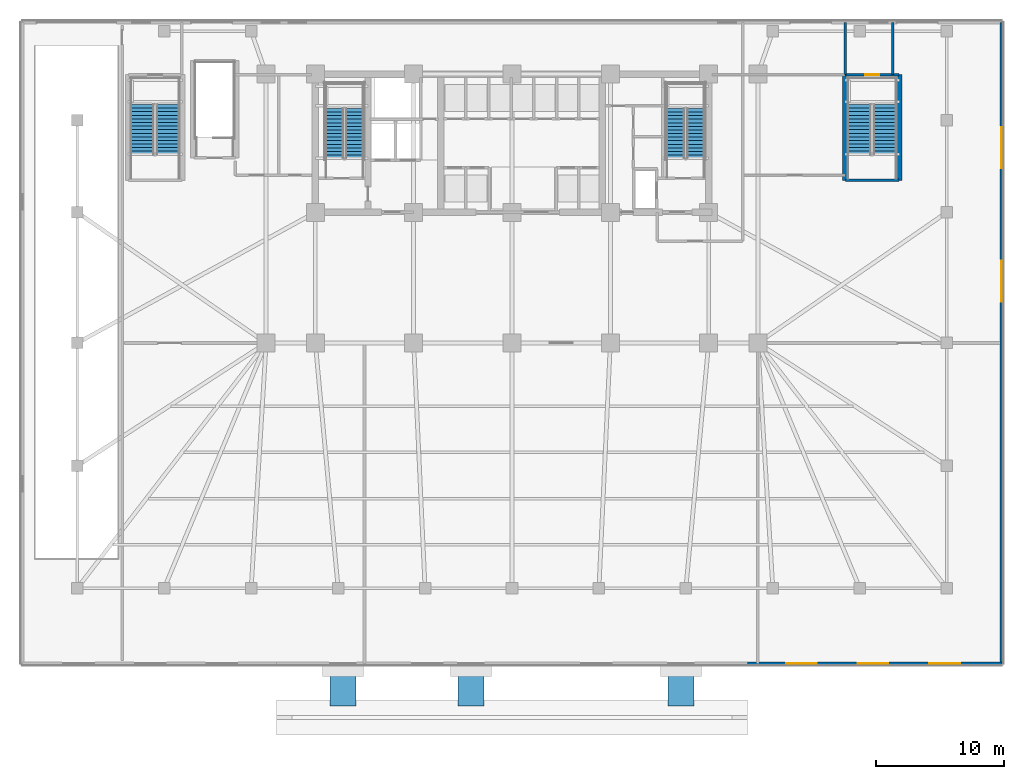
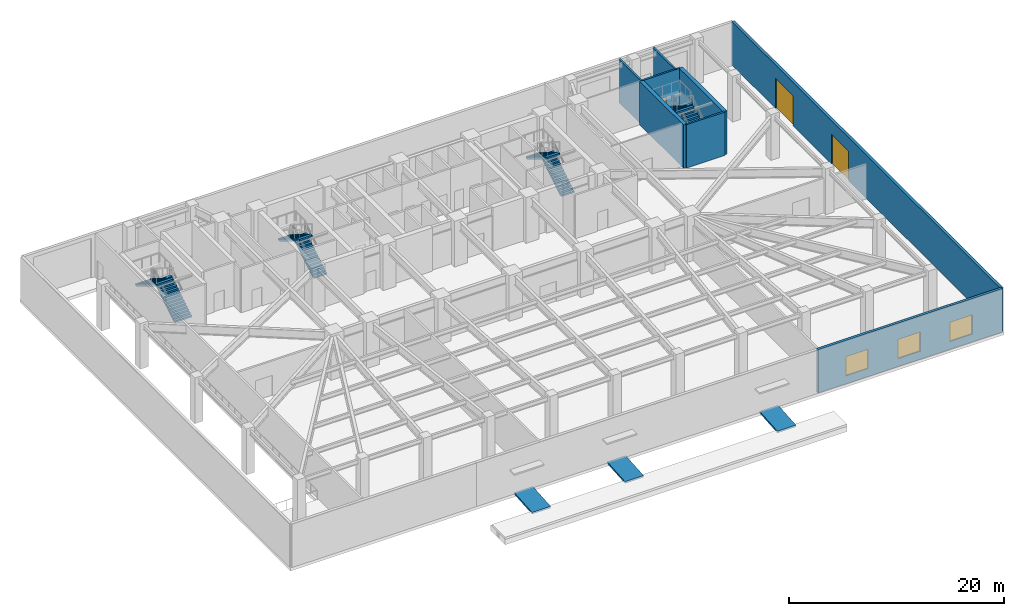
# One storey, part 7 of 15: 8 stair flights, 8 walls, 3 doors, 3 ramp flights, 3 windows, 6 openings, 7 elements without a shape of their own.
"""IFC4 building model written with IfcOpenShell, lengths in metres."""

import ifcopenshell
import ifcopenshell.guid

model = None  # the IFC model being written
_history = None  # IfcOwnerHistory: only IFC2X3 demands one
_inside = {}  # id of a spatial element -> (the spatial element, [elements in it])
_under = {}  # id of a project, library or spatial element -> (it, [spatial elements below it])
_declared = {}  # id of a project -> (the project, [libraries it declares])
_typed = {}  # id of a type object -> (the type object, [elements of that type])
_made_of = {}  # id of a material, layer set ... -> (it, [elements and type objects made of it])


def new_model(schema):
    """Start an empty IFC model of exactly this schema.

    Asked for "IFC4X3", IfcOpenShell would pick the latest addendum, in which some entities
    have other attributes; the version numbers below select the first issue.
    IFC2X3 requires an IfcOwnerHistory on every rooted entity: one is made here for all.
    """
    global model, _history
    if schema == "IFC4X3":
        model = ifcopenshell.file(schema_version=(4, 3, 0, 0))
    else:
        model = ifcopenshell.file(schema=schema)
    _inside.clear()
    _under.clear()
    _declared.clear()
    _typed.clear()
    _made_of.clear()
    _history = None
    if model.schema == "IFC2X3":
        org = make("IfcOrganization", Name="unknown")
        user = make(
            "IfcPersonAndOrganization",
            ThePerson=make("IfcPerson", FamilyName="unknown"),
            TheOrganization=org,
        )
        app = make(
            "IfcApplication",
            ApplicationDeveloper=org,
            Version="unknown",
            ApplicationFullName="unknown",
            ApplicationIdentifier="unknown",
        )
        _history = make(
            "IfcOwnerHistory",
            OwningUser=user,
            OwningApplication=app,
            ChangeAction="ADDED",
            CreationDate=0,
        )
    return model


def make(cls, **values):
    """One entity of the class cls with the attributes given. An attribute that is None is left unset."""
    return model.create_entity(
        cls, **{name: value for name, value in values.items() if value is not None}
    )


def rooted(cls, **values):
    """An entity with a GlobalId (a new one), such as an element, a storey or a relation."""
    return make(cls, GlobalId=ifcopenshell.guid.new(), OwnerHistory=_history, **values)


def si_unit(unit_type, name, prefix=None):
    """IfcSIUnit, for example si_unit("LENGTHUNIT", "METRE", prefix="MILLI")."""
    return make("IfcSIUnit", UnitType=unit_type, Prefix=prefix, Name=name)


def assignment(units):
    """IfcUnitAssignment: the units of a project."""
    return None if units is None else make("IfcUnitAssignment", Units=units)


def point(xyz):
    """IfcCartesianPoint."""
    return None if xyz is None else make("IfcCartesianPoint", Coordinates=xyz)


def direction(xyz):
    """IfcDirection."""
    return None if xyz is None else make("IfcDirection", DirectionRatios=xyz)


def frame(location, z_axis=None, x_axis=None):
    """IfcAxis2Placement3D, a coordinate frame: its origin and axes. An axis left out is left unset."""
    return make(
        "IfcAxis2Placement3D",
        Location=point(location),
        Axis=direction(z_axis),
        RefDirection=direction(x_axis),
    )


def frame_2d(location, x_axis=None):
    """IfcAxis2Placement2D, a coordinate frame in the plane: its origin and x axis."""
    return make(
        "IfcAxis2Placement2D", Location=point(location), RefDirection=direction(x_axis)
    )


def origin():
    """The frame at (0, 0, 0) with its axes left unset."""
    return frame((0.0, 0.0, 0.0))


def place(relative_to, where):
    """IfcLocalPlacement: puts the frame where relative to a parent placement (None: the world)."""
    return make(
        "IfcLocalPlacement", PlacementRelTo=relative_to, RelativePlacement=where
    )


def context(
    kind, dimensions, precision=None, world=None, true_north=None, identifier=None
):
    """IfcGeometricRepresentationContext, for example the 3D "Model" context."""
    return make(
        "IfcGeometricRepresentationContext",
        ContextIdentifier=identifier,
        ContextType=kind,
        CoordinateSpaceDimension=dimensions,
        Precision=precision,
        WorldCoordinateSystem=world,
        TrueNorth=true_north,
    )


def subcontext(parent, identifier, kind, view, scale=None):
    """IfcGeometricRepresentationSubContext, for example "Body" below "Model"."""
    return make(
        "IfcGeometricRepresentationSubContext",
        ContextIdentifier=identifier,
        ContextType=kind,
        ParentContext=parent,
        TargetScale=scale,
        TargetView=view,
    )


def project(units=None, contexts=None):
    """IfcProject with its units and contexts."""
    return rooted(
        "IfcProject",
        Name="project",
        RepresentationContexts=contexts,
        UnitsInContext=assignment(units),
    )


def spatial(cls, under=None, at=None, **own):
    """A site, building, storey or space (cls), placed at a placement, below another one or the project."""
    s = rooted(cls, ObjectPlacement=at, **own)
    if under is not None:
        _under.setdefault(under.id(), (under, []))[1].append(s)
    return s


def polyline(points):
    """IfcPolyline through the points."""
    return make("IfcPolyline", Points=[point(p) for p in points])


def profile(cls, at=None, kind="AREA", **sizes):
    """A parametric profile (cls). Its sizes go by their IFC names, for example OverallWidth=200.0."""
    return make(cls, ProfileType=kind, Position=at, **sizes)


def rectangle(**sizes):
    """IfcRectangleProfileDef."""
    return profile("IfcRectangleProfileDef", **sizes)


def outline(outer, holes=None, kind="AREA"):
    """IfcArbitraryClosedProfileDef: a profile drawn as a closed curve; with holes, ...WithVoids."""
    if holes is None:
        return make("IfcArbitraryClosedProfileDef", ProfileType=kind, OuterCurve=outer)
    return make(
        "IfcArbitraryProfileDefWithVoids",
        ProfileType=kind,
        OuterCurve=outer,
        InnerCurves=holes,
    )


def extrude(swept, where, along, depth):
    """IfcExtrudedAreaSolid: the profile swept, set in the frame where, extruded along a direction by depth."""
    return make(
        "IfcExtrudedAreaSolid",
        SweptArea=swept,
        Position=where,
        ExtrudedDirection=direction(along),
        Depth=depth,
    )


def shape(context_of_items, identifier, shape_type, items):
    """IfcShapeRepresentation: the items that make up one representation, for example the "Body"."""
    return make(
        "IfcShapeRepresentation",
        ContextOfItems=context_of_items,
        RepresentationIdentifier=identifier,
        RepresentationType=shape_type,
        Items=items,
    )


def material(Name=None, Category=None):
    """IfcMaterial."""
    return make("IfcMaterial", Name=Name, Category=Category)


def layer(
    of_material, thickness, ventilated=None, Name=None, Category=None, Priority=None
):
    """IfcMaterialLayer: one layer of a wall or slab, of a material (None: an air gap)."""
    return make(
        "IfcMaterialLayer",
        Material=of_material,
        LayerThickness=thickness,
        IsVentilated=ventilated,
        Name=Name,
        Category=Category,
        Priority=Priority,
    )


def layer_set(layers, Name=None):
    """IfcMaterialLayerSet."""
    return make("IfcMaterialLayerSet", MaterialLayers=layers, LayerSetName=Name)


def made_of(thing, what):
    """Note that an element or type object is made of a material, layer set ...; save() writes the relation."""
    if what is not None:
        _made_of.setdefault(what.id(), (what, []))[1].append(thing)
    return thing


def type_object(cls, material=None, **own):
    """A type object (cls), such as IfcWallType, which elements share."""
    return made_of(rooted(cls, **own), material)


def element(
    cls,
    number,
    at=None,
    inside=None,
    cuts=None,
    type_object=None,
    material=None,
    context=None,
    identifier="Body",
    shape_type=None,
    held_by="IfcProductDefinitionShape",
    body=None,
    shapes=None,
    **own,
):
    """One element of the class cls, such as IfcWall. Its Tag is "e" and its number.

    at: its placement. inside: the storey or other place that contains it. cuts: it is an
    opening in that element (IfcRelVoidsElement). A single representation is given by context,
    identifier, shape_type and body (its items); several are given by shapes. held_by: the class
    of the entity that holds the representations. save() writes the other relations.
    """
    e = rooted(cls, Tag="e%d" % number, ObjectPlacement=at, **own)
    if body is not None:
        shapes = [shape(context, identifier, shape_type, body)]
    if shapes is not None:
        e.Representation = make(held_by, Representations=shapes)
    if inside is not None:
        _inside.setdefault(inside.id(), (inside, []))[1].append(e)
    if cuts is not None:
        rooted(
            "IfcRelVoidsElement", RelatingBuildingElement=cuts, RelatedOpeningElement=e
        )
    if type_object is not None:
        _typed.setdefault(type_object.id(), (type_object, []))[1].append(e)
    return made_of(e, material)


def fill(opening, filler):
    """IfcRelFillsElement: the door or window that sits in an opening."""
    return rooted(
        "IfcRelFillsElement",
        RelatingOpeningElement=opening,
        RelatedBuildingElement=filler,
    )


def aggregate(whole, parts):
    """IfcRelAggregates: a whole, such as a stair, and the parts it consists of."""
    return rooted("IfcRelAggregates", RelatingObject=whole, RelatedObjects=parts)


def save(model, path):
    """Write the relations noted so far, then the file.

    IfcRelAggregates (storeys below a building ...), IfcRelContainedInSpatialStructure (elements
    in a storey), IfcRelDefinesByType, IfcRelAssociatesMaterial and IfcRelDeclares: one each for
    every whole, place, type object, material and project.
    """
    for whole, parts in _under.values():
        aggregate(whole, parts)
    for where, things in _inside.values():
        rooted(
            "IfcRelContainedInSpatialStructure",
            RelatedElements=things,
            RelatingStructure=where,
        )
    for kind, things in _typed.values():
        rooted("IfcRelDefinesByType", RelatedObjects=things, RelatingType=kind)
    for what, things in _made_of.values():
        rooted("IfcRelAssociatesMaterial", RelatedObjects=things, RelatingMaterial=what)
    for by, libraries in _declared.values():
        rooted("IfcRelDeclares", RelatingContext=by, RelatedDefinitions=libraries)
    model.write(path)


model = new_model("IFC4")

# Units and contexts
model_context = context("Model", 3, precision=1e-05, world=origin(), true_north=direction((0.0, 1.0)))
body_context = subcontext(model_context, "Body", "Model", "MODEL_VIEW")
ifc_project = project(units=[si_unit("LENGTHUNIT", "METRE"), si_unit("AREAUNIT", "SQUARE_METRE"), si_unit("VOLUMEUNIT", "CUBIC_METRE"), si_unit("PLANEANGLEUNIT", "RADIAN"), si_unit("MASSUNIT", "GRAM", prefix="KILO")], contexts=[model_context])

# Site, building, storey
site_placement = place(None, origin())
site = spatial("IfcSite", under=ifc_project, at=site_placement, CompositionType="ELEMENT")
building_placement = place(site_placement, origin())
building = spatial("IfcBuilding", under=site, at=building_placement, Name="Yelkora Congress Tower", CompositionType="ELEMENT")
storey_placement = place(building_placement, origin())
storey = spatial("IfcBuildingStorey", under=building, at=storey_placement, Name="L00", CompositionType="ELEMENT", Elevation=0.0)

# Walls
ifc_material_1 = material(Name="Concrete C50/60", Category="concrete")
ifc_layer_1 = layer(ifc_material_1, 0.39990234375)
ifc_layer_set_1 = layer_set([ifc_layer_1], Name="Concrete C50/60")
wall_type_1 = type_object("IfcWallType", Name="WALL-CORE-INT-400", PredefinedType="SHEAR", material=ifc_layer_set_1)
for number, where, z_axis, x_axis, name in (
    (1, (64.39990234375, 37.89990234375, 0.0), (0.0, 0.0, 1.0), (0.0, 1.0, 0.0), "L00 STP2 West Shear Wall"),
    (2, (68.659912109375, 37.89990234375, 0.0), (0.0, 0.0, 1.0), (0.0, 1.0, 0.0), "L00 STP2 East Shear Wall"),
):
    element("IfcWall", number, at=place(storey_placement, frame(where, z_axis=z_axis, x_axis=x_axis)), inside=storey, type_object=wall_type_1, Name=name, PredefinedType="SHEAR", context=body_context, shape_type="SweptSolid", body=[
        extrude(rectangle(XDim=8.25, YDim=0.39990234375, at=frame_2d((4.125, 0.0))), origin(), (0.0, 0.0, 1.0), 4.93994140625),
    ])

# Wall, openings, doors
ifc_material_2 = material(Name="Concrete C40/50", Category="concrete")
ifc_layer_2 = layer(ifc_material_2, 0.280029296875)
ifc_layer_set_2 = layer_set([ifc_layer_2], Name="Concrete C40/50")
wall_type_2 = type_object("IfcWallType", Name="WALL-EXT-LIMESTONE-280", PredefinedType="SOLIDWALL", material=ifc_layer_set_2)
wall_1_placement = place(storey_placement, frame((76.639892578125, 50.239990234375, 0.0), z_axis=(0.0, 0.0, 1.0), x_axis=(0.0, -1.0, 0.0)))
wall_1 = element("IfcWall", 3, at=wall_1_placement, inside=storey, type_object=wall_type_2, Name="L00 Podium Limestone Wall 3", PredefinedType="SOLIDWALL", context=body_context, shape_type="SweptSolid", body=[
    extrude(rectangle(XDim=50.080078125, YDim=0.280029296875, at=frame_2d((25.0400390625, 0.0))), origin(), (0.0, 0.0, 1.0), 4.93994140625),
])
opening_1_placement = place(wall_1_placement, frame((8.199951171875, 0.0, 0.0)))
opening_1 = element("IfcOpeningElement", 4, at=opening_1_placement, cuts=wall_1, Name="Opening DG-S32", PredefinedType="OPENING", context=body_context, shape_type="SweptSolid", body=[
    extrude(rectangle(XDim=3.199951171875, YDim=3.39990234375, at=frame_2d((1.60009765625, 1.699951171875))), frame((0.0, 0.14990234375, 0.0), z_axis=(0.0, -1.0, 0.0), x_axis=(1.0, 0.0, 0.0)), (0.0, 0.0, 1.0), 0.300048828125),
])
opening_2_placement = place(wall_1_placement, frame((18.60009765625, 0.0, 0.0)))
opening_2 = element("IfcOpeningElement", 5, at=opening_2_placement, cuts=wall_1, Name="Opening DG-S32", PredefinedType="OPENING", context=body_context, shape_type="SweptSolid", body=[
    extrude(rectangle(XDim=3.199951171875, YDim=3.39990234375, at=frame_2d((1.60009765625, 1.699951171875))), frame((0.0, 0.14990234375, 0.0), z_axis=(0.0, -1.0, 0.0), x_axis=(1.0, 0.0, 0.0)), (0.0, 0.0, 1.0), 0.300048828125),
])
ifc_material_3 = material(Name="Insulated steel loading bay shutter", Category="steel")
door_type_1 = type_object("IfcDoorType", Name="GATE-SRV-BAY-3200", OperationType="ROLLINGUP", PredefinedType="GATE", material=ifc_material_3)
door_1_placement = place(opening_1_placement, origin())
door_1 = element("IfcDoor", 6, at=door_1_placement, inside=storey, type_object=door_type_1, Name="L00 East Exhibition Loading Gate 4", OperationType="SINGLE_SWING_LEFT", OverallHeight=3.39990234375, OverallWidth=3.199951171875, PredefinedType="GATE", context=body_context, shape_type="SweptSolid", body=[
    extrude(rectangle(XDim=3.199951171875, YDim=3.39990234375, at=frame_2d((1.60009765625, 1.699951171875))), frame((0.0, 0.02490234375, 0.0), z_axis=(0.0, -1.0, 0.0), x_axis=(1.0, 0.0, 0.0)), (0.0, 0.0, 1.0), 0.050048828125),
])
fill(opening_1, door_1)
door_2_placement = place(opening_2_placement, origin())
door_2 = element("IfcDoor", 7, at=door_2_placement, inside=storey, type_object=door_type_1, Name="L00 East Exhibition Loading Gate 5", OperationType="SINGLE_SWING_LEFT", OverallHeight=3.39990234375, OverallWidth=3.199951171875, PredefinedType="GATE", context=body_context, shape_type="SweptSolid", body=[
    extrude(rectangle(XDim=3.199951171875, YDim=3.39990234375, at=frame_2d((1.60009765625, 1.699951171875))), frame((0.0, 0.02490234375, 0.0), z_axis=(0.0, -1.0, 0.0), x_axis=(1.0, 0.0, 0.0)), (0.0, 0.0, 1.0), 0.050048828125),
])
fill(opening_2, door_2)

# Wall, openings, windows
wall_2_placement = place(storey_placement, frame((56.800048828125, 0.159912109375, 0.0), z_axis=(0.0, 0.0, 1.0), x_axis=(1.0, 0.0, 0.0)))
wall_2 = element("IfcWall", 8, at=wall_2_placement, inside=storey, type_object=wall_type_2, Name="L00 South-East Limestone Facade Wall", PredefinedType="SOLIDWALL", context=body_context, shape_type="SweptSolid", body=[
    extrude(rectangle(XDim=19.83984375, YDim=0.280029296875, at=frame_2d((9.919921875, 0.0))), origin(), (0.0, 0.0, 1.0), 4.93994140625),
])
opening_3_placement = place(wall_2_placement, frame((3.0, 0.0, 0.89990234375)))
opening_3 = element("IfcOpeningElement", 9, at=opening_3_placement, cuts=wall_2, Name="Opening WN-24", PredefinedType="OPENING", context=body_context, shape_type="SweptSolid", body=[
    extrude(rectangle(XDim=2.39990234375, YDim=2.199951171875, at=frame_2d((1.199951171875, 1.10009765625))), frame((0.0, 0.14990234375, 0.0), z_axis=(0.0, -1.0, 0.0), x_axis=(1.0, 0.0, 0.0)), (0.0, 0.0, 1.0), 0.300048828125),
])
opening_4_placement = place(wall_2_placement, frame((8.60009765625, 0.0, 0.89990234375)))
opening_4 = element("IfcOpeningElement", 10, at=opening_4_placement, cuts=wall_2, Name="Opening WN-24", PredefinedType="OPENING", context=body_context, shape_type="SweptSolid", body=[
    extrude(rectangle(XDim=2.39990234375, YDim=2.199951171875, at=frame_2d((1.199951171875, 1.10009765625))), frame((0.0, 0.14990234375, 0.0), z_axis=(0.0, -1.0, 0.0), x_axis=(1.0, 0.0, 0.0)), (0.0, 0.0, 1.0), 0.300048828125),
])
opening_5_placement = place(wall_2_placement, frame((14.199951171875, 0.0, 0.89990234375)))
opening_5 = element("IfcOpeningElement", 11, at=opening_5_placement, cuts=wall_2, Name="Opening WN-24", PredefinedType="OPENING", context=body_context, shape_type="SweptSolid", body=[
    extrude(rectangle(XDim=2.39990234375, YDim=2.199951171875, at=frame_2d((1.199951171875, 1.10009765625))), frame((0.0, 0.14990234375, 0.0), z_axis=(0.0, -1.0, 0.0), x_axis=(1.0, 0.0, 0.0)), (0.0, 0.0, 1.0), 0.300048828125),
])
ifc_material_4 = material(Name="Thermally broken aluminium low-E window", Category="aluminium")
window_type = type_object("IfcWindowType", Name="WIN-POD-2400x2200", PartitioningType="SINGLE_PANEL", PredefinedType="WINDOW", material=ifc_material_4)
window_1_placement = place(opening_3_placement, origin())
window_1 = element("IfcWindow", 12, at=window_1_placement, inside=storey, type_object=window_type, Name="L00 South-East Window 1", OverallHeight=2.199951171875, OverallWidth=2.39990234375, PartitioningType="SINGLE_PANEL", PredefinedType="WINDOW", context=body_context, shape_type="SweptSolid", body=[
    extrude(rectangle(XDim=2.39990234375, YDim=2.199951171875, at=frame_2d((1.199951171875, 1.10009765625))), frame((0.0, 0.030029296875, 0.0), z_axis=(0.0, -1.0, 0.0), x_axis=(1.0, 0.0, 0.0)), (0.0, 0.0, 1.0), 0.06005859375),
])
fill(opening_3, window_1)
window_2_placement = place(opening_4_placement, origin())
window_2 = element("IfcWindow", 13, at=window_2_placement, inside=storey, type_object=window_type, Name="L00 South-East Window 2", OverallHeight=2.199951171875, OverallWidth=2.39990234375, PartitioningType="SINGLE_PANEL", PredefinedType="WINDOW", context=body_context, shape_type="SweptSolid", body=[
    extrude(rectangle(XDim=2.39990234375, YDim=2.199951171875, at=frame_2d((1.199951171875, 1.10009765625))), frame((0.0, 0.030029296875, 0.0), z_axis=(0.0, -1.0, 0.0), x_axis=(1.0, 0.0, 0.0)), (0.0, 0.0, 1.0), 0.06005859375),
])
fill(opening_4, window_2)
window_3_placement = place(opening_5_placement, origin())
window_3 = element("IfcWindow", 14, at=window_3_placement, inside=storey, type_object=window_type, Name="L00 South-East Window 3", OverallHeight=2.199951171875, OverallWidth=2.39990234375, PartitioningType="SINGLE_PANEL", PredefinedType="WINDOW", context=body_context, shape_type="SweptSolid", body=[
    extrude(rectangle(XDim=2.39990234375, YDim=2.199951171875, at=frame_2d((1.199951171875, 1.10009765625))), frame((0.0, 0.030029296875, 0.0), z_axis=(0.0, -1.0, 0.0), x_axis=(1.0, 0.0, 0.0)), (0.0, 0.0, 1.0), 0.06005859375),
])
fill(opening_5, window_3)

# Wall
ifc_material_5 = material(Name="Autoclaved aerated concrete blockwork", Category="masonry")
ifc_layer_3 = layer(ifc_material_5, 0.199951171875)
ifc_layer_set_3 = layer_set([ifc_layer_3], Name="Autoclaved aerated concrete blockwork")
wall_type_3 = type_object("IfcWallType", Name="WALL-INT-200-R120", PredefinedType="PARTITIONING", material=ifc_layer_set_3)
wall_3_placement = place(storey_placement, frame((64.43994140625, 37.89990234375, 0.0), z_axis=(0.0, 0.0, 1.0), x_axis=(1.0, 0.0, 0.0)))
element("IfcWall", 15, at=wall_3_placement, inside=storey, type_object=wall_type_3, Name="L00 Partition Wall 33", PredefinedType="PARTITIONING", context=body_context, shape_type="SweptSolid", body=[
    extrude(rectangle(XDim=4.18017578125, YDim=0.199951171875, at=frame_2d((2.090087890625, 0.0))), origin(), (0.0, 0.0, 1.0), 4.93994140625),
])

# Wall, opening, door
wall_4_placement = place(storey_placement, frame((64.43994140625, 46.14990234375, 0.0), z_axis=(0.0, 0.0, 1.0), x_axis=(1.0, 0.0, 0.0)))
wall_4 = element("IfcWall", 16, at=wall_4_placement, inside=storey, type_object=wall_type_3, Name="L00 Partition Wall 34", PredefinedType="PARTITIONING", context=body_context, shape_type="SweptSolid", body=[
    extrude(rectangle(XDim=4.18017578125, YDim=0.199951171875, at=frame_2d((2.090087890625, 0.0))), origin(), (0.0, 0.0, 1.0), 4.93994140625),
])
opening_6_placement = place(wall_4_placement, frame((1.5400390625, 0.0, 0.0)))
opening_6 = element("IfcOpeningElement", 17, at=opening_6_placement, cuts=wall_4, Name="Opening DR-110F9", PredefinedType="OPENING", context=body_context, shape_type="SweptSolid", body=[
    extrude(rectangle(XDim=1.10009765625, YDim=2.14990234375, at=frame_2d((0.550048828125, 1.074951171875))), frame((0.0, 0.10986328125, 0.0), z_axis=(0.0, -1.0, 0.0), x_axis=(1.0, 0.0, 0.0)), (0.0, 0.0, 1.0), 0.219970703125),
])
ifc_material_6 = material(Name="Galvanised steel fire door leaf", Category="steel")
door_type_2 = type_object("IfcDoorType", Name="DOOR-FD90-1100", OperationType="NOTDEFINED", PredefinedType="DOOR", material=ifc_material_6)
door_3_placement = place(opening_6_placement, origin())
door_3 = element("IfcDoor", 18, at=door_3_placement, inside=storey, type_object=door_type_2, Name="L00 ST-P2 Protected Discharge Door", OperationType="SINGLE_SWING_LEFT", OverallHeight=2.14990234375, OverallWidth=1.10009765625, PredefinedType="DOOR", context=body_context, shape_type="SweptSolid", body=[
    extrude(rectangle(XDim=1.10009765625, YDim=2.14990234375, at=frame_2d((0.550048828125, 1.074951171875))), frame((0.0, 0.02490234375, 0.0), z_axis=(0.0, -1.0, 0.0), x_axis=(1.0, 0.0, 0.0)), (0.0, 0.0, 1.0), 0.050048828125),
])
fill(opening_6, door_3)

# Walls
for number, where, z_axis, x_axis, name in (
    (19, (64.43994140625, 46.14990234375, 0.0), (0.0, 0.0, 1.0), (0.0, 1.0, 0.0), "L00 Partition Wall 39"),
    (20, (68.1201171875, 46.14990234375, 0.0), (0.0, 0.0, 1.0), (0.0, 1.0, 0.0), "L00 Partition Wall 40"),
):
    element("IfcWall", number, at=place(storey_placement, frame(where, z_axis=z_axis, x_axis=x_axis)), inside=storey, type_object=wall_type_3, Name=name, PredefinedType="PARTITIONING", context=body_context, shape_type="SweptSolid", body=[
        extrude(rectangle(XDim=4.070068359375, YDim=0.199951171875, at=frame_2d((2.03515625, 0.0))), origin(), (0.0, 0.0, 1.0), 4.93994140625),
    ])

# Stair, stair flights
stair_type_1 = type_object("IfcStairType", Name="STAIR-HT-1420-R30-173", PredefinedType="HALF_TURN_STAIR", material=ifc_material_2)
stair_1_placement = place(storey_placement, origin())
stair_1 = element("IfcStair", 21, at=stair_1_placement, inside=storey, type_object=stair_type_1, Name="West Core Protected Exit Stair ST-01 (L00)", PredefinedType="HALF_TURN_STAIR")
stair_flight_type_1 = type_object("IfcStairFlightType", Name="FLIGHT-1420-N15-R173-G280", PredefinedType="STRAIGHT", material=ifc_material_2)
stair_flight_1_placement = place(storey_placement, frame((26.110107421875, 39.60009765625, 0.0), z_axis=(0.0, 0.0, 1.0), x_axis=(0.0, 1.0, 0.0)))
stair_flight_1 = element("IfcStairFlight", 22, at=stair_flight_1_placement, type_object=stair_flight_type_1, Name="ST-01 L00 Flight 1", NumberOfRisers=15, NumberOfTreads=14, PredefinedType="STRAIGHT", RiserHeight=0.173333333, TreadLength=0.28, context=body_context, shape_type="SweptSolid", body=[
    extrude(outline(polyline([(0.0, 0.0), (0.0, 0.17333984375), (0.280029296875, 0.17333984375), (0.280029296875, 0.3466796875), (0.56005859375, 0.3466796875), (0.56005859375, 0.52001953125), (0.840087890625, 0.52001953125), (0.840087890625, 0.693359375), (1.1201171875, 0.693359375), (1.1201171875, 0.86669921875), (1.39990234375, 0.86669921875), (1.39990234375, 1.0400390625), (1.679931640625, 1.0400390625), (1.679931640625, 1.21337890625), (1.9599609375, 1.21337890625), (1.9599609375, 1.38671875), (2.239990234375, 1.38671875), (2.239990234375, 1.56005859375), (2.52001953125, 1.56005859375), (2.52001953125, 1.7333984375), (2.800048828125, 1.7333984375), (2.800048828125, 1.90673828125), (3.080078125, 1.90673828125), (3.080078125, 2.080078125), (3.360107421875, 2.080078125), (3.360107421875, 2.25341796875), (3.639892578125, 2.25341796875), (3.639892578125, 2.4267578125), (3.919921875, 2.4267578125), (3.919921875, 2.60009765625), (3.919921875, 2.238525390625), (0.3037109375, 0.0), (0.0, 0.0)])), frame((0.0, 0.7099609375, 0.0), z_axis=(0.0, -1.0, 0.0), x_axis=(1.0, 0.0, 0.0)), (0.0, 0.0, 1.0), 1.419921875),
])
stair_flight_2_placement = place(storey_placement, frame((24.530029296875, 43.52001953125, 2.60009765625), z_axis=(0.0, 0.0, 1.0), x_axis=(0.0, -1.0, 0.0)))
stair_flight_2 = element("IfcStairFlight", 23, at=stair_flight_2_placement, type_object=stair_flight_type_1, Name="ST-01 L00 Flight 2", NumberOfRisers=15, NumberOfTreads=14, PredefinedType="STRAIGHT", RiserHeight=0.173333333, TreadLength=0.28, context=body_context, shape_type="SweptSolid", body=[
    extrude(outline(polyline([(0.0, 0.0), (0.0, 0.17333984375), (0.280029296875, 0.17333984375), (0.280029296875, 0.3466796875), (0.56005859375, 0.3466796875), (0.56005859375, 0.52001953125), (0.840087890625, 0.52001953125), (0.840087890625, 0.693359375), (1.1201171875, 0.693359375), (1.1201171875, 0.86669921875), (1.39990234375, 0.86669921875), (1.39990234375, 1.0400390625), (1.679931640625, 1.0400390625), (1.679931640625, 1.21337890625), (1.9599609375, 1.21337890625), (1.9599609375, 1.38671875), (2.239990234375, 1.38671875), (2.239990234375, 1.56005859375), (2.52001953125, 1.56005859375), (2.52001953125, 1.7333984375), (2.800048828125, 1.7333984375), (2.800048828125, 1.90673828125), (3.080078125, 1.90673828125), (3.080078125, 2.080078125), (3.360107421875, 2.080078125), (3.360107421875, 2.25341796875), (3.639892578125, 2.25341796875), (3.639892578125, 2.4267578125), (3.919921875, 2.4267578125), (3.919921875, 2.60009765625), (3.919921875, 2.238525390625), (0.3037109375, 0.0), (0.0, 0.0)])), frame((0.0, 0.7099609375, 0.0), z_axis=(0.0, -1.0, 0.0), x_axis=(1.0, 0.0, 0.0)), (0.0, 0.0, 1.0), 1.419921875),
])
aggregate(stair_1, [stair_flight_1, stair_flight_2])

stair_2_placement = place(storey_placement, origin())
stair_2 = element("IfcStair", 24, at=stair_2_placement, inside=storey, type_object=stair_type_1, Name="East Core Protected Exit Stair ST-02 (L00)", PredefinedType="HALF_TURN_STAIR")
stair_flight_3_placement = place(storey_placement, frame((52.75, 39.60009765625, 0.0), z_axis=(0.0, 0.0, 1.0), x_axis=(0.0, 1.0, 0.0)))
stair_flight_3 = element("IfcStairFlight", 25, at=stair_flight_3_placement, type_object=stair_flight_type_1, Name="ST-02 L00 Flight 1", NumberOfRisers=15, NumberOfTreads=14, PredefinedType="STRAIGHT", RiserHeight=0.173333333, TreadLength=0.28, context=body_context, shape_type="SweptSolid", body=[
    extrude(outline(polyline([(0.0, 0.0), (0.0, 0.17333984375), (0.280029296875, 0.17333984375), (0.280029296875, 0.3466796875), (0.56005859375, 0.3466796875), (0.56005859375, 0.52001953125), (0.840087890625, 0.52001953125), (0.840087890625, 0.693359375), (1.1201171875, 0.693359375), (1.1201171875, 0.86669921875), (1.39990234375, 0.86669921875), (1.39990234375, 1.0400390625), (1.679931640625, 1.0400390625), (1.679931640625, 1.21337890625), (1.9599609375, 1.21337890625), (1.9599609375, 1.38671875), (2.239990234375, 1.38671875), (2.239990234375, 1.56005859375), (2.52001953125, 1.56005859375), (2.52001953125, 1.7333984375), (2.800048828125, 1.7333984375), (2.800048828125, 1.90673828125), (3.080078125, 1.90673828125), (3.080078125, 2.080078125), (3.360107421875, 2.080078125), (3.360107421875, 2.25341796875), (3.639892578125, 2.25341796875), (3.639892578125, 2.4267578125), (3.919921875, 2.4267578125), (3.919921875, 2.60009765625), (3.919921875, 2.238525390625), (0.3037109375, 0.0), (0.0, 0.0)])), frame((0.0, 0.7099609375, 0.0), z_axis=(0.0, -1.0, 0.0), x_axis=(1.0, 0.0, 0.0)), (0.0, 0.0, 1.0), 1.419921875),
])
stair_flight_4_placement = place(storey_placement, frame((51.169921875, 43.52001953125, 2.60009765625), z_axis=(0.0, 0.0, 1.0), x_axis=(0.0, -1.0, 0.0)))
stair_flight_4 = element("IfcStairFlight", 26, at=stair_flight_4_placement, type_object=stair_flight_type_1, Name="ST-02 L00 Flight 2", NumberOfRisers=15, NumberOfTreads=14, PredefinedType="STRAIGHT", RiserHeight=0.173333333, TreadLength=0.28, context=body_context, shape_type="SweptSolid", body=[
    extrude(outline(polyline([(0.0, 0.0), (0.0, 0.17333984375), (0.280029296875, 0.17333984375), (0.280029296875, 0.3466796875), (0.56005859375, 0.3466796875), (0.56005859375, 0.52001953125), (0.840087890625, 0.52001953125), (0.840087890625, 0.693359375), (1.1201171875, 0.693359375), (1.1201171875, 0.86669921875), (1.39990234375, 0.86669921875), (1.39990234375, 1.0400390625), (1.679931640625, 1.0400390625), (1.679931640625, 1.21337890625), (1.9599609375, 1.21337890625), (1.9599609375, 1.38671875), (2.239990234375, 1.38671875), (2.239990234375, 1.56005859375), (2.52001953125, 1.56005859375), (2.52001953125, 1.7333984375), (2.800048828125, 1.7333984375), (2.800048828125, 1.90673828125), (3.080078125, 1.90673828125), (3.080078125, 2.080078125), (3.360107421875, 2.080078125), (3.360107421875, 2.25341796875), (3.639892578125, 2.25341796875), (3.639892578125, 2.4267578125), (3.919921875, 2.4267578125), (3.919921875, 2.60009765625), (3.919921875, 2.238525390625), (0.3037109375, 0.0), (0.0, 0.0)])), frame((0.0, 0.7099609375, 0.0), z_axis=(0.0, -1.0, 0.0), x_axis=(1.0, 0.0, 0.0)), (0.0, 0.0, 1.0), 1.419921875),
])
aggregate(stair_2, [stair_flight_3, stair_flight_4])

stair_type_2 = type_object("IfcStairType", Name="STAIR-HT-1850-R30-173", PredefinedType="HALF_TURN_STAIR", material=ifc_material_2)
stair_3_placement = place(storey_placement, origin())
stair_3 = element("IfcStair", 27, at=stair_3_placement, inside=storey, type_object=stair_type_2, Name="Podium Exit Stair ST-P1 (L00)", PredefinedType="HALF_TURN_STAIR")
stair_flight_type_2 = type_object("IfcStairFlightType", Name="FLIGHT-1850-N15-R173-G280", PredefinedType="STRAIGHT", material=ifc_material_2)
stair_flight_5_placement = place(storey_placement, frame((11.534912109375, 39.89990234375, 0.0), z_axis=(0.0, 0.0, 1.0), x_axis=(0.0, 1.0, 0.0)))
stair_flight_5 = element("IfcStairFlight", 28, at=stair_flight_5_placement, type_object=stair_flight_type_2, Name="ST-P1 L00 Flight 1", NumberOfRisers=15, NumberOfTreads=14, PredefinedType="STRAIGHT", RiserHeight=0.173333333, TreadLength=0.28, context=body_context, shape_type="SweptSolid", body=[
    extrude(outline(polyline([(0.0, 0.0), (0.0, 0.17333984375), (0.280029296875, 0.17333984375), (0.280029296875, 0.3466796875), (0.56005859375, 0.3466796875), (0.56005859375, 0.52001953125), (0.840087890625, 0.52001953125), (0.840087890625, 0.693359375), (1.1201171875, 0.693359375), (1.1201171875, 0.86669921875), (1.39990234375, 0.86669921875), (1.39990234375, 1.0400390625), (1.679931640625, 1.0400390625), (1.679931640625, 1.21337890625), (1.9599609375, 1.21337890625), (1.9599609375, 1.38671875), (2.239990234375, 1.38671875), (2.239990234375, 1.56005859375), (2.52001953125, 1.56005859375), (2.52001953125, 1.7333984375), (2.800048828125, 1.7333984375), (2.800048828125, 1.90673828125), (3.080078125, 1.90673828125), (3.080078125, 2.080078125), (3.360107421875, 2.080078125), (3.360107421875, 2.25341796875), (3.639892578125, 2.25341796875), (3.639892578125, 2.4267578125), (3.919921875, 2.4267578125), (3.919921875, 2.60009765625), (3.919921875, 2.238525390625), (0.3037109375, 0.0), (0.0, 0.0)])), frame((0.0, 0.925048828125, 0.0), z_axis=(0.0, -1.0, 0.0), x_axis=(1.0, 0.0, 0.0)), (0.0, 0.0, 1.0), 1.85009765625),
])
stair_flight_6_placement = place(storey_placement, frame((9.52490234375, 43.820068359375, 2.60009765625), z_axis=(0.0, 0.0, 1.0), x_axis=(0.0, -1.0, 0.0)))
stair_flight_6 = element("IfcStairFlight", 29, at=stair_flight_6_placement, type_object=stair_flight_type_2, Name="ST-P1 L00 Flight 2", NumberOfRisers=15, NumberOfTreads=14, PredefinedType="STRAIGHT", RiserHeight=0.173333333, TreadLength=0.28, context=body_context, shape_type="SweptSolid", body=[
    extrude(outline(polyline([(0.0, 0.0), (0.0, 0.17333984375), (0.280029296875, 0.17333984375), (0.280029296875, 0.3466796875), (0.56005859375, 0.3466796875), (0.56005859375, 0.52001953125), (0.840087890625, 0.52001953125), (0.840087890625, 0.693359375), (1.1201171875, 0.693359375), (1.1201171875, 0.86669921875), (1.39990234375, 0.86669921875), (1.39990234375, 1.0400390625), (1.679931640625, 1.0400390625), (1.679931640625, 1.21337890625), (1.9599609375, 1.21337890625), (1.9599609375, 1.38671875), (2.239990234375, 1.38671875), (2.239990234375, 1.56005859375), (2.52001953125, 1.56005859375), (2.52001953125, 1.7333984375), (2.800048828125, 1.7333984375), (2.800048828125, 1.90673828125), (3.080078125, 1.90673828125), (3.080078125, 2.080078125), (3.360107421875, 2.080078125), (3.360107421875, 2.25341796875), (3.639892578125, 2.25341796875), (3.639892578125, 2.4267578125), (3.919921875, 2.4267578125), (3.919921875, 2.60009765625), (3.919921875, 2.238525390625), (0.3037109375, 0.0), (0.0, 0.0)])), frame((0.0, 0.925048828125, 0.0), z_axis=(0.0, -1.0, 0.0), x_axis=(1.0, 0.0, 0.0)), (0.0, 0.0, 1.0), 1.85009765625),
])
aggregate(stair_3, [stair_flight_5, stair_flight_6])

stair_4_placement = place(storey_placement, origin())
stair_4 = element("IfcStair", 30, at=stair_4_placement, inside=storey, type_object=stair_type_2, Name="Podium Exit Stair ST-P2 (L00)", PredefinedType="HALF_TURN_STAIR")
stair_flight_7_placement = place(storey_placement, frame((67.534912109375, 39.89990234375, 0.0), z_axis=(0.0, 0.0, 1.0), x_axis=(0.0, 1.0, 0.0)))
stair_flight_7 = element("IfcStairFlight", 31, at=stair_flight_7_placement, type_object=stair_flight_type_2, Name="ST-P2 L00 Flight 1", NumberOfRisers=15, NumberOfTreads=14, PredefinedType="STRAIGHT", RiserHeight=0.173333333, TreadLength=0.28, context=body_context, shape_type="SweptSolid", body=[
    extrude(outline(polyline([(0.0, 0.0), (0.0, 0.17333984375), (0.280029296875, 0.17333984375), (0.280029296875, 0.3466796875), (0.56005859375, 0.3466796875), (0.56005859375, 0.52001953125), (0.840087890625, 0.52001953125), (0.840087890625, 0.693359375), (1.1201171875, 0.693359375), (1.1201171875, 0.86669921875), (1.39990234375, 0.86669921875), (1.39990234375, 1.0400390625), (1.679931640625, 1.0400390625), (1.679931640625, 1.21337890625), (1.9599609375, 1.21337890625), (1.9599609375, 1.38671875), (2.239990234375, 1.38671875), (2.239990234375, 1.56005859375), (2.52001953125, 1.56005859375), (2.52001953125, 1.7333984375), (2.800048828125, 1.7333984375), (2.800048828125, 1.90673828125), (3.080078125, 1.90673828125), (3.080078125, 2.080078125), (3.360107421875, 2.080078125), (3.360107421875, 2.25341796875), (3.639892578125, 2.25341796875), (3.639892578125, 2.4267578125), (3.919921875, 2.4267578125), (3.919921875, 2.60009765625), (3.919921875, 2.238525390625), (0.3037109375, 0.0), (0.0, 0.0)])), frame((0.0, 0.925048828125, 0.0), z_axis=(0.0, -1.0, 0.0), x_axis=(1.0, 0.0, 0.0)), (0.0, 0.0, 1.0), 1.85009765625),
])
stair_flight_8_placement = place(storey_placement, frame((65.52490234375, 43.820068359375, 2.60009765625), z_axis=(0.0, 0.0, 1.0), x_axis=(0.0, -1.0, 0.0)))
stair_flight_8 = element("IfcStairFlight", 32, at=stair_flight_8_placement, type_object=stair_flight_type_2, Name="ST-P2 L00 Flight 2", NumberOfRisers=15, NumberOfTreads=14, PredefinedType="STRAIGHT", RiserHeight=0.173333333, TreadLength=0.28, context=body_context, shape_type="SweptSolid", body=[
    extrude(outline(polyline([(0.0, 0.0), (0.0, 0.17333984375), (0.280029296875, 0.17333984375), (0.280029296875, 0.3466796875), (0.56005859375, 0.3466796875), (0.56005859375, 0.52001953125), (0.840087890625, 0.52001953125), (0.840087890625, 0.693359375), (1.1201171875, 0.693359375), (1.1201171875, 0.86669921875), (1.39990234375, 0.86669921875), (1.39990234375, 1.0400390625), (1.679931640625, 1.0400390625), (1.679931640625, 1.21337890625), (1.9599609375, 1.21337890625), (1.9599609375, 1.38671875), (2.239990234375, 1.38671875), (2.239990234375, 1.56005859375), (2.52001953125, 1.56005859375), (2.52001953125, 1.7333984375), (2.800048828125, 1.7333984375), (2.800048828125, 1.90673828125), (3.080078125, 1.90673828125), (3.080078125, 2.080078125), (3.360107421875, 2.080078125), (3.360107421875, 2.25341796875), (3.639892578125, 2.25341796875), (3.639892578125, 2.4267578125), (3.919921875, 2.4267578125), (3.919921875, 2.60009765625), (3.919921875, 2.238525390625), (0.3037109375, 0.0), (0.0, 0.0)])), frame((0.0, 0.925048828125, 0.0), z_axis=(0.0, -1.0, 0.0), x_axis=(1.0, 0.0, 0.0)), (0.0, 0.0, 1.0), 1.85009765625),
])
aggregate(stair_4, [stair_flight_7, stair_flight_8])

# Ramp, ramp flight
ifc_layer_4 = layer(ifc_material_2, 0.199951171875)
ifc_layer_set_4 = layer_set([ifc_layer_4], Name="Concrete C40/50")
ramp_type = type_object("IfcRampType", Name="RAMP-PED-200", PredefinedType="STRAIGHT_RUN_RAMP", material=ifc_layer_set_4)
ramp_1_placement = place(storey_placement, origin())
ramp_1 = element("IfcRamp", 33, at=ramp_1_placement, inside=storey, type_object=ramp_type, Name="L00 Step-Free Access Ramp RMP-L00-S1", PredefinedType="STRAIGHT_RUN_RAMP")
ifc_layer_5 = layer(ifc_material_2, 0.199951171875)
ifc_layer_set_5 = layer_set([ifc_layer_5], Name="Concrete C40/50")
ramp_flight_type = type_object("IfcRampFlightType", Name="RAMPFLIGHT-PED-200", PredefinedType="STRAIGHT", material=ifc_layer_set_5)
ramp_flight_1_placement = place(storey_placement, frame((25.199951171875, -3.14990234375, -0.25), z_axis=(0.0, 0.0, 1.0), x_axis=(0.0, 1.0, 0.0)))
ramp_flight_1 = element("IfcRampFlight", 34, at=ramp_flight_1_placement, type_object=ramp_flight_type, Name="L00 Step-Free Access Ramp Flight RMP-L00-S1", PredefinedType="STRAIGHT", context=body_context, shape_type="SweptSolid", body=[
    extrude(outline(polyline([(0.0, -0.199951171875), (3.349853515625, 0.050048828125), (3.349853515625, 0.25), (0.0, 0.0), (0.0, -0.199951171875)])), frame((0.0, 1.0, 0.0), z_axis=(0.0, -1.0, 0.0), x_axis=(1.0, 0.0, 0.0)), (0.0, 0.0, 1.0), 2.0),
])
aggregate(ramp_1, [ramp_flight_1])

ramp_2_placement = place(storey_placement, origin())
ramp_2 = element("IfcRamp", 35, at=ramp_2_placement, inside=storey, type_object=ramp_type, Name="L00 Step-Free Access Ramp RMP-L00-S2", PredefinedType="STRAIGHT_RUN_RAMP")
ramp_flight_2_placement = place(storey_placement, frame((35.199951171875, -3.14990234375, -0.25), z_axis=(0.0, 0.0, 1.0), x_axis=(0.0, 1.0, 0.0)))
ramp_flight_2 = element("IfcRampFlight", 36, at=ramp_flight_2_placement, type_object=ramp_flight_type, Name="L00 Step-Free Access Ramp Flight RMP-L00-S2", PredefinedType="STRAIGHT", context=body_context, shape_type="SweptSolid", body=[
    extrude(outline(polyline([(0.0, -0.199951171875), (3.349853515625, 0.050048828125), (3.349853515625, 0.25), (0.0, 0.0), (0.0, -0.199951171875)])), frame((0.0, 1.0, 0.0), z_axis=(0.0, -1.0, 0.0), x_axis=(1.0, 0.0, 0.0)), (0.0, 0.0, 1.0), 2.0),
])
aggregate(ramp_2, [ramp_flight_2])

ramp_3_placement = place(storey_placement, origin())
ramp_3 = element("IfcRamp", 37, at=ramp_3_placement, inside=storey, type_object=ramp_type, Name="L00 Step-Free Access Ramp RMP-L00-S3", PredefinedType="STRAIGHT_RUN_RAMP")
ramp_flight_3_placement = place(storey_placement, frame((51.60009765625, -3.14990234375, -0.25), z_axis=(0.0, 0.0, 1.0), x_axis=(0.0, 1.0, 0.0)))
ramp_flight_3 = element("IfcRampFlight", 38, at=ramp_flight_3_placement, type_object=ramp_flight_type, Name="L00 Step-Free Access Ramp Flight RMP-L00-S3", PredefinedType="STRAIGHT", context=body_context, shape_type="SweptSolid", body=[
    extrude(outline(polyline([(0.0, -0.199951171875), (3.349853515625, 0.050048828125), (3.349853515625, 0.25), (0.0, 0.0), (0.0, -0.199951171875)])), frame((0.0, 1.0, 0.0), z_axis=(0.0, -1.0, 0.0), x_axis=(1.0, 0.0, 0.0)), (0.0, 0.0, 1.0), 2.0),
])
aggregate(ramp_3, [ramp_flight_3])

save(model, "model.ifc")
